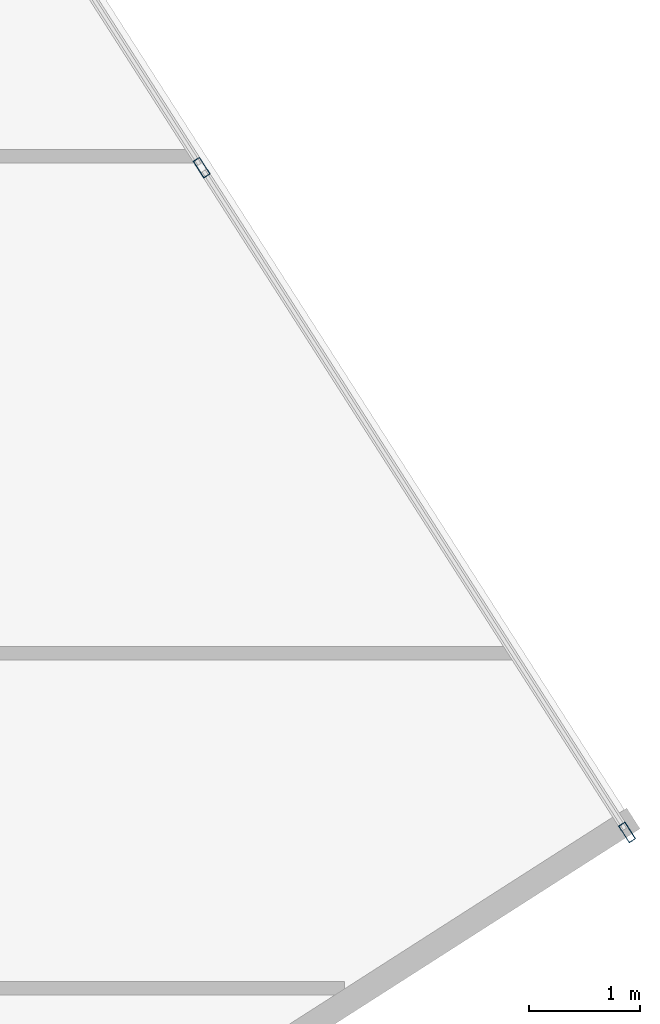
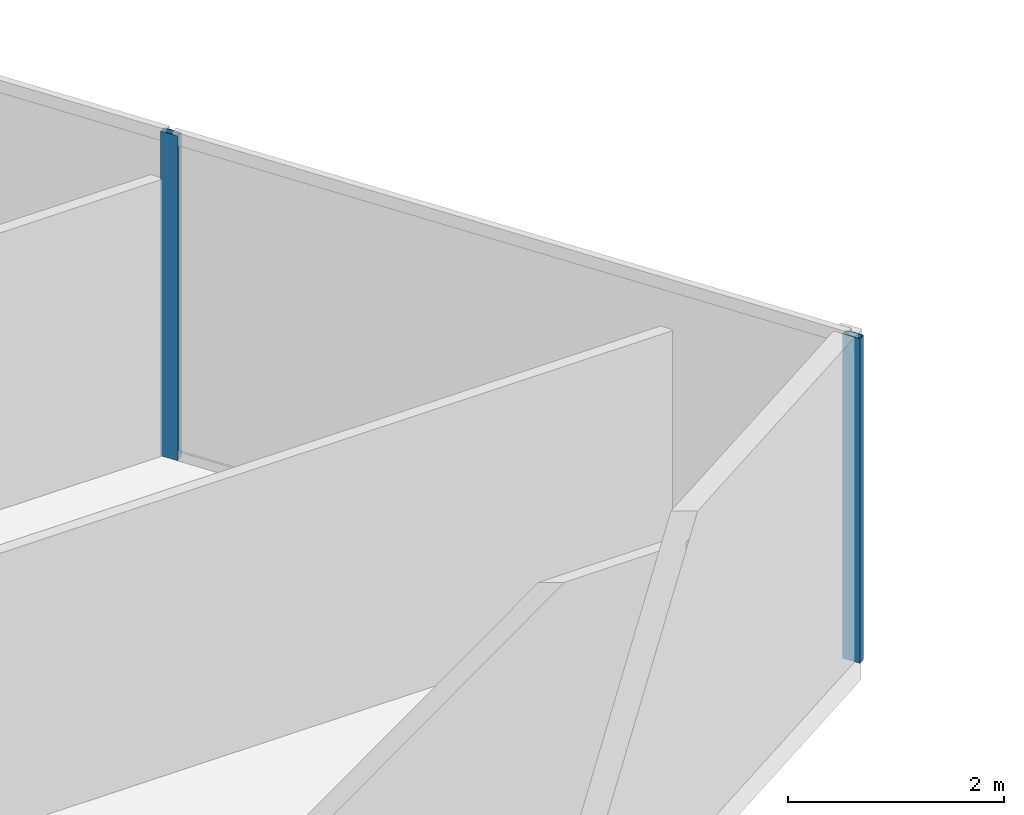
# One storey, part 10 of 20: 2 members, 1 element without a shape of its own.
"""IFC4 building model written with IfcOpenShell, lengths in metres."""

from ifc_helpers import new_model, si_unit, direction, frame, origin, origin_2d, place, context, subcontext, project, spatial, hollow_rectangle, extrude, source, transform, mapped, material, material_profile, profile_set, type_object, type_shapes, element, aggregate, save


model = new_model("IFC4")

# Units and contexts
model_context = context("Model", 3, precision=1e-05, world=origin(), true_north=direction((0.0, 1.0)))
body_context = subcontext(model_context, "Body", "Model", "MODEL_VIEW")
ifc_project = project(units=[si_unit("LENGTHUNIT", "METRE"), si_unit("AREAUNIT", "SQUARE_METRE"), si_unit("VOLUMEUNIT", "CUBIC_METRE"), si_unit("PLANEANGLEUNIT", "RADIAN"), si_unit("MASSUNIT", "GRAM", prefix="KILO")], contexts=[model_context])

# Site, building, storey
site_placement = place(None, origin())
site = spatial("IfcSite", under=ifc_project, at=site_placement, CompositionType="ELEMENT")
building_placement = place(site_placement, origin())
building = spatial("IfcBuilding", under=site, at=building_placement, Name="Krantzveldt Concourse Tower", CompositionType="ELEMENT")
storey_placement = place(building_placement, frame((0.0, 0.0, 283.199951171875)))
storey = spatial("IfcBuildingStorey", under=building, at=storey_placement, Name="L69", CompositionType="ELEMENT", Elevation=283.199951171875)

# Curtain wall, members
ifc_material = material(Name="Anodised aluminium 6063-T6", Category="aluminium")
curtain_wall_type = type_object("IfcCurtainWallType", Name="CW4", PredefinedType="USERDEFINED", material=ifc_material)
curtain_wall_placement = place(storey_placement, origin())
curtain_wall = element("IfcCurtainWall", 1, at=curtain_wall_placement, inside=storey, type_object=curtain_wall_type, Name="CW-L69-F10", ObjectType="UNITISED CURTAIN WALL", PredefinedType="USERDEFINED")
ifc_material_profile = material_profile(ifc_material, hollow_rectangle(XDim=0.070068359375, YDim=0.179931640625, WallThickness=0.0048828125, at=origin_2d()), Name="Anodised aluminium 6063-T6", Category="aluminium")
ifc_profile_set = profile_set([ifc_material_profile], Name="Anodised aluminium 6063-T6 - ALU-MULL 180x70x5")
member_type = type_object("IfcMemberType", Name="CW-MUL-180", PredefinedType="MULLION", material=ifc_profile_set)
shared_shape = source(origin(), body_context, "Body", "SweptSolid", [
    extrude(hollow_rectangle(XDim=0.070068359375, YDim=0.179931640625, WallThickness=0.0048828125, at=origin_2d()), origin(), (0.0, 0.0, 1.0), 3.670166015625),
])
type_shapes(member_type, [shared_shape])
member_1_placement = place(storey_placement, frame((60.12255859375, 25.204345703125, 0.0), z_axis=(0.0, 0.0, 1.0), x_axis=(-0.842217243088, -0.53913830827, 0.0)))
member_1 = element("IfcMember", 2, at=member_1_placement, type_object=member_type, Name="CW-Z56 mullion 1", PredefinedType="MULLION", context=body_context, shape_type="MappedRepresentation", body=[
    mapped(shared_shape, transform((0.0, 0.0, 0.0), x_axis=(1.0, 0.0, 0.0), y_axis=(0.0, 1.0, 0.0), z_axis=(0.0, 0.0, 1.0), scale=1.0)),
])
member_2_placement = place(storey_placement, frame((56.28662109375, 31.19677734375, 0.0), z_axis=(0.0, 0.0, 1.0), x_axis=(-0.842217243088, -0.53913830827, 0.0)))
member_2 = element("IfcMember", 3, at=member_2_placement, type_object=member_type, Name="CW-Z56 mullion 2", PredefinedType="MULLION", context=body_context, shape_type="MappedRepresentation", body=[
    mapped(shared_shape, transform((0.0, 0.0, 0.0), x_axis=(1.0, 0.0, 0.0), y_axis=(0.0, 1.0, 0.0), z_axis=(0.0, 0.0, 1.0), scale=1.0)),
])
aggregate(curtain_wall, [member_1, member_2])

save(model, "model.ifc")
